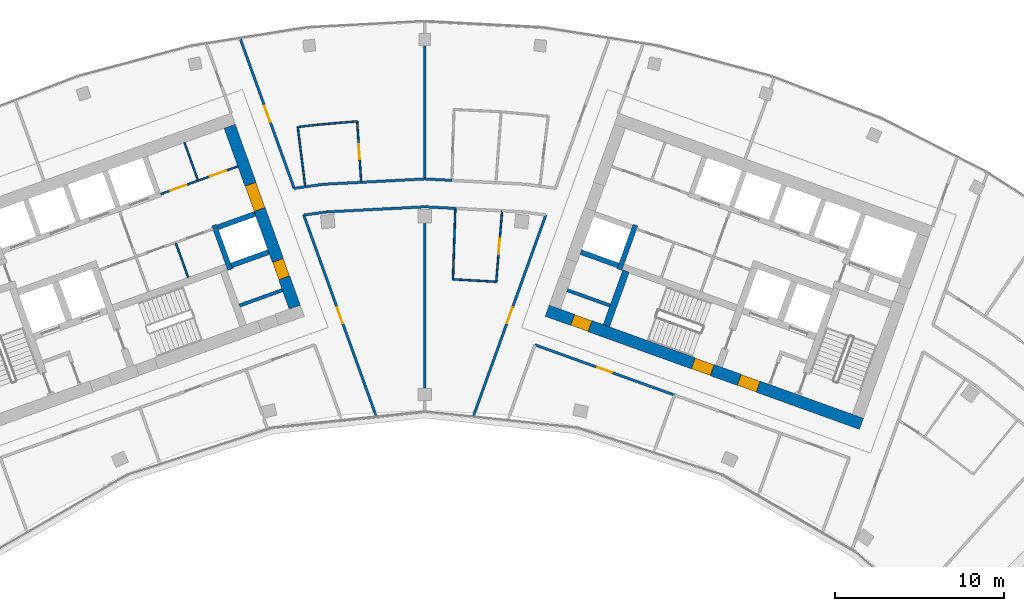
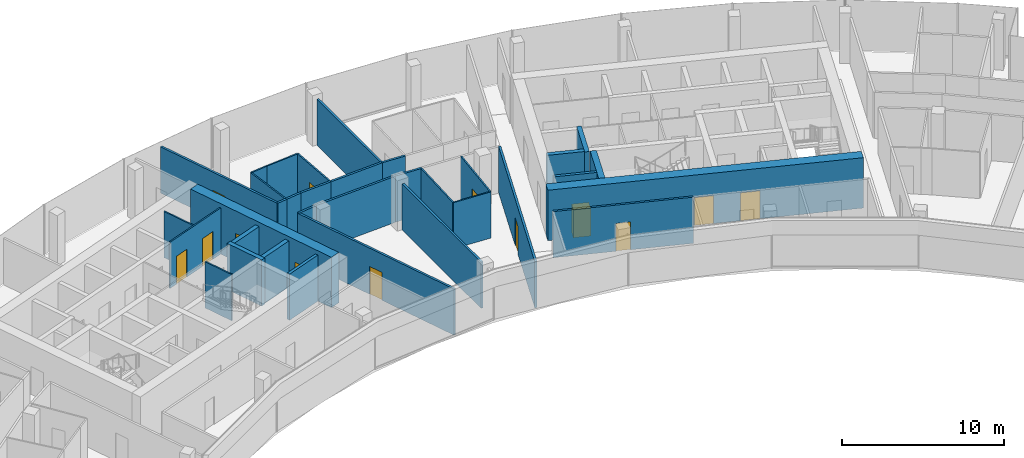
# One storey, part 14 of 18: 34 walls, 13 doors, 13 openings.
"""IFC4 building model written with IfcOpenShell, lengths in metres."""

from ifc_helpers import new_model, si_unit, direction, frame, frame_2d, origin, place, context, subcontext, project, spatial, rectangle, extrude, material, layer, layer_set, type_object, element, fill, save


model = new_model("IFC4")

# Units and contexts
model_context = context("Model", 3, precision=1e-05, world=origin(), true_north=direction((0.0, 1.0)))
body_context = subcontext(model_context, "Body", "Model", "MODEL_VIEW")
ifc_project = project(units=[si_unit("LENGTHUNIT", "METRE"), si_unit("AREAUNIT", "SQUARE_METRE"), si_unit("VOLUMEUNIT", "CUBIC_METRE"), si_unit("PLANEANGLEUNIT", "RADIAN"), si_unit("MASSUNIT", "GRAM", prefix="KILO")], contexts=[model_context])

# Site, building, storey
site_placement = place(None, origin())
site = spatial("IfcSite", under=ifc_project, at=site_placement, CompositionType="ELEMENT")
building_placement = place(site_placement, origin())
building = spatial("IfcBuilding", under=site, at=building_placement, Name="Stone Belt Terrace Tower", CompositionType="ELEMENT")
storey_placement = place(building_placement, frame((0.0, 0.0, 277.0)))
storey = spatial("IfcBuildingStorey", under=building, at=storey_placement, Name="L67", CompositionType="ELEMENT", Elevation=277.0)

# Wall
ifc_material_1 = material(Name="Plasterboard partition")
ifc_layer_1 = layer(ifc_material_1, 0.10009765625)
ifc_layer_set_1 = layer_set([ifc_layer_1], Name="Core partition 100")
wall_type_1 = type_object("IfcWallType", Name="Core partition 100", PredefinedType="PARTITIONING", material=ifc_layer_set_1)
wall_1_placement = place(storey_placement, frame((-14.029052734375, 51.38525390625, 0.0), z_axis=(0.0, 0.0, 1.0), x_axis=(-0.338622960269, 0.940922149159, 0.0)))
element("IfcWall", 1, at=wall_1_placement, inside=storey, type_object=wall_type_1, Name="Core A wall", PredefinedType="PARTITIONING", context=body_context, shape_type="SweptSolid", body=[
    extrude(rectangle(XDim=2.14990234375, YDim=0.10009765625, at=frame_2d((1.074951171875, 0.0))), origin(), (0.0, 0.0, 1.0), 3.47998046875),
])

# Wall, openings, doors
wall_2_placement = place(storey_placement, frame((-15.648681640625, 56.32861328125, 0.0), z_axis=(0.0, 0.0, 1.0), x_axis=(0.940905377977, 0.338669558262, 0.0)))
wall_2 = element("IfcWall", 2, at=wall_2_placement, inside=storey, type_object=wall_type_1, Name="Core A wall", PredefinedType="PARTITIONING", context=body_context, shape_type="SweptSolid", body=[
    extrude(rectangle(XDim=4.85009765625, YDim=0.10009765625, at=frame_2d((2.425048828125, 0.0))), origin(), (0.0, 0.0, 1.0), 3.47998046875),
])
opening_1_placement = place(wall_2_placement, frame((0.60009765625, 0.0, 0.0)))
opening_1 = element("IfcOpeningElement", 3, at=opening_1_placement, cuts=wall_2, Name="Opening L67-C01", PredefinedType="OPENING", context=body_context, shape_type="SweptSolid", body=[
    extrude(rectangle(XDim=1.0, YDim=2.10009765625, at=frame_2d((0.5, 1.050048828125))), frame((0.0, 0.06005859375, 0.0), z_axis=(0.0, -1.0, 0.0), x_axis=(1.0, 0.0, 0.0)), (0.0, 0.0, 1.0), 0.1201171875),
])
opening_2_placement = place(wall_2_placement, frame((3.10009765625, 0.0, 0.0)))
opening_2 = element("IfcOpeningElement", 4, at=opening_2_placement, cuts=wall_2, Name="Opening L67-C02", PredefinedType="OPENING", context=body_context, shape_type="SweptSolid", body=[
    extrude(rectangle(XDim=1.0, YDim=2.10009765625, at=frame_2d((0.5, 1.050048828125))), frame((0.0, 0.06005859375, 0.0), z_axis=(0.0, -1.0, 0.0), x_axis=(1.0, 0.0, 0.0)), (0.0, 0.0, 1.0), 0.1201171875),
])
ifc_material_2 = material(Name="Timber door leaf", Category="wood")
door_type_1 = type_object("IfcDoorType", Name="Core room door 1000", OperationType="SINGLE_SWING_LEFT", PredefinedType="DOOR", material=ifc_material_2)
door_1_placement = place(opening_1_placement, origin())
door_1 = element("IfcDoor", 5, at=door_1_placement, inside=storey, type_object=door_type_1, Name="Door to Server room core A", OperationType="SINGLE_SWING_RIGHT", OverallHeight=2.10009765625, OverallWidth=1.0, PredefinedType="DOOR", context=body_context, shape_type="SweptSolid", body=[
    extrude(rectangle(XDim=1.0, YDim=2.10009765625, at=frame_2d((0.5, 1.050048828125))), frame((0.0, 0.02490234375, 0.0), z_axis=(0.0, -1.0, 0.0), x_axis=(1.0, 0.0, 0.0)), (0.0, 0.0, 1.0), 0.050048828125),
])
fill(opening_1, door_1)
door_2_placement = place(opening_2_placement, origin())
door_2 = element("IfcDoor", 6, at=door_2_placement, inside=storey, type_object=door_type_1, Name="Door to Plant room core A", OperationType="SINGLE_SWING_LEFT", OverallHeight=2.10009765625, OverallWidth=1.0, PredefinedType="DOOR", context=body_context, shape_type="SweptSolid", body=[
    extrude(rectangle(XDim=1.0, YDim=2.10009765625, at=frame_2d((0.5, 1.050048828125))), frame((0.0, 0.02490234375, 0.0), z_axis=(0.0, -1.0, 0.0), x_axis=(1.0, 0.0, 0.0)), (0.0, 0.0, 1.0), 0.050048828125),
])
fill(opening_2, door_2)

# Wall
wall_3_placement = place(storey_placement, frame((-13.45458984375, 57.171630859375, 0.0), z_axis=(0.0, 0.0, 1.0), x_axis=(-0.338579668317, 0.940937728121, 0.0)))
element("IfcWall", 7, at=wall_3_placement, inside=storey, type_object=wall_type_1, Name="Core A wall", PredefinedType="PARTITIONING", context=body_context, shape_type="SweptSolid", body=[
    extrude(rectangle(XDim=2.35009765625, YDim=0.10009765625, at=frame_2d((1.175048828125, 0.0))), origin(), (0.0, 0.0, 1.0), 3.47998046875),
])

# Wall, openings, doors
ifc_material_3 = material(Name="Concrete B60", Category="concrete")
ifc_layer_2 = layer(ifc_material_3, 0.699951171875)
ifc_layer_set_2 = layer_set([ifc_layer_2], Name="Core wall 700 B60")
wall_type_2 = type_object("IfcWallType", Name="Core wall 700 B60", PredefinedType="SHEAR", material=ifc_layer_set_2)
wall_4_placement = place(storey_placement, frame((-7.70849609375, 49.621337890625, 0.0), z_axis=(0.0, 0.0, 1.0), x_axis=(-0.338606471282, 0.940928083121, 0.0)))
wall_4 = element("IfcWall", 8, at=wall_4_placement, inside=storey, type_object=wall_type_2, Name="Core A wall end_b L67", PredefinedType="SHEAR", context=body_context, shape_type="SweptSolid", body=[
    extrude(rectangle(XDim=11.39990234375, YDim=0.699951171875, at=frame_2d((5.699951171875, 0.0))), origin(), (0.0, 0.0, 1.0), 3.800048828125),
])
opening_3_placement = place(wall_4_placement, frame((6.14990234375, 0.0, 0.0)))
opening_3 = element("IfcOpeningElement", 9, at=opening_3_placement, cuts=wall_4, Name="Opening L67-C09", PredefinedType="OPENING", context=body_context, shape_type="SweptSolid", body=[
    extrude(rectangle(XDim=1.60009765625, YDim=2.10009765625, at=frame_2d((0.800048828125, 1.050048828125))), frame((0.0, 0.35986328125, 0.0), z_axis=(0.0, -1.0, 0.0), x_axis=(1.0, 0.0, 0.0)), (0.0, 0.0, 1.0), 0.719970703125),
])
opening_4_placement = place(wall_4_placement, frame((1.85009765625, 0.0, 0.0)))
opening_4 = element("IfcOpeningElement", 10, at=opening_4_placement, cuts=wall_4, Name="Opening L67-C15", PredefinedType="OPENING", context=body_context, shape_type="SweptSolid", body=[
    extrude(rectangle(XDim=1.10009765625, YDim=2.10009765625, at=frame_2d((0.550048828125, 1.050048828125))), frame((0.0, 0.35986328125, 0.0), z_axis=(0.0, -1.0, 0.0), x_axis=(1.0, 0.0, 0.0)), (0.0, 0.0, 1.0), 0.719970703125),
])
door_type_2 = type_object("IfcDoorType", Name="Core room door 1100", OperationType="SINGLE_SWING_LEFT", PredefinedType="DOOR", material=ifc_material_2)
door_3_placement = place(opening_4_placement, origin())
door_3 = element("IfcDoor", 11, at=door_3_placement, inside=storey, type_object=door_type_2, Name="Door to Accessible WC core A", OperationType="SINGLE_SWING_LEFT", OverallHeight=2.10009765625, OverallWidth=1.10009765625, PredefinedType="DOOR", context=body_context, shape_type="SweptSolid", body=[
    extrude(rectangle(XDim=1.10009765625, YDim=2.10009765625, at=frame_2d((0.550048828125, 1.050048828125))), frame((0.0, 0.330078125, 0.0), z_axis=(0.0, -1.0, 0.0), x_axis=(1.0, 0.0, 0.0)), (0.0, 0.0, 1.0), 0.659912109375),
])
fill(opening_4, door_3)
ifc_material_4 = material(Name="Glazed aluminium door leaf", Category="aluminium")
door_type_3 = type_object("IfcDoorType", Name="Lift lobby entrance door 1600", OperationType="DOUBLE_DOOR_SINGLE_SWING", PredefinedType="DOOR", material=ifc_material_4)
door_4_placement = place(opening_3_placement, origin())
door_4 = element("IfcDoor", 12, at=door_4_placement, inside=storey, type_object=door_type_3, Name="Lift lobby entrance door core A", OperationType="DOUBLE_DOOR_SINGLE_SWING", OverallHeight=2.10009765625, OverallWidth=1.60009765625, PredefinedType="DOOR", context=body_context, shape_type="SweptSolid", body=[
    extrude(rectangle(XDim=1.60009765625, YDim=2.10009765625, at=frame_2d((0.800048828125, 1.050048828125))), frame((0.0, 0.330078125, 0.0), z_axis=(0.0, -1.0, 0.0), x_axis=(1.0, 0.0, 0.0)), (0.0, 0.0, 1.0), 0.659912109375),
])
fill(opening_3, door_4)

wall_5_placement = place(storey_placement, frame((7.260498046875, 49.410400390625, 0.0), z_axis=(0.0, 0.0, 1.0), x_axis=(0.940925130461, -0.338614676094, 0.0)))
wall_5 = element("IfcWall", 13, at=wall_5_placement, inside=storey, type_object=wall_type_2, Name="Core B wall concave L67", PredefinedType="SHEAR", context=body_context, shape_type="SweptSolid", body=[
    extrude(rectangle(XDim=19.800048828125, YDim=0.699951171875, at=frame_2d((9.89990234375, 0.0))), origin(), (0.0, 0.0, 1.0), 3.800048828125),
])
opening_5_placement = place(wall_5_placement, frame((12.10009765625, 0.0, 0.0)))
opening_5 = element("IfcOpeningElement", 14, at=opening_5_placement, cuts=wall_5, Name="Opening L67-C28", PredefinedType="OPENING", context=body_context, shape_type="SweptSolid", body=[
    extrude(rectangle(XDim=1.199951171875, YDim=2.10009765625, at=frame_2d((0.60009765625, 1.050048828125))), frame((0.0, 0.35986328125, 0.0), z_axis=(0.0, -1.0, 0.0), x_axis=(1.0, 0.0, 0.0)), (0.0, 0.0, 1.0), 0.719970703125),
])
opening_6_placement = place(wall_5_placement, frame((9.2001953125, 0.0, 0.0)))
opening_6 = element("IfcOpeningElement", 15, at=opening_6_placement, cuts=wall_5, Name="Opening L67-C30", PredefinedType="OPENING", context=body_context, shape_type="SweptSolid", body=[
    extrude(rectangle(XDim=1.199951171875, YDim=2.10009765625, at=frame_2d((0.60009765625, 1.050048828125))), frame((0.0, 0.35986328125, 0.0), z_axis=(0.0, -1.0, 0.0), x_axis=(1.0, 0.0, 0.0)), (0.0, 0.0, 1.0), 0.719970703125),
])
opening_7_placement = place(wall_5_placement, frame((1.60009765625, 0.0, 0.0)))
opening_7 = element("IfcOpeningElement", 16, at=opening_7_placement, cuts=wall_5, Name="Opening L67-C32", PredefinedType="OPENING", context=body_context, shape_type="SweptSolid", body=[
    extrude(rectangle(XDim=1.10009765625, YDim=2.10009765625, at=frame_2d((0.550048828125, 1.050048828125))), frame((0.0, 0.35986328125, 0.0), z_axis=(0.0, -1.0, 0.0), x_axis=(1.0, 0.0, 0.0)), (0.0, 0.0, 1.0), 0.719970703125),
])
door_5_placement = place(opening_7_placement, origin())
door_5 = element("IfcDoor", 17, at=door_5_placement, inside=storey, type_object=door_type_2, Name="Door to Pipe riser core B", OperationType="SINGLE_SWING_LEFT", OverallHeight=2.10009765625, OverallWidth=1.10009765625, PredefinedType="DOOR", context=body_context, shape_type="SweptSolid", body=[
    extrude(rectangle(XDim=1.10009765625, YDim=2.10009765625, at=frame_2d((0.550048828125, 1.050048828125))), frame((0.0, 0.330078125, 0.0), z_axis=(0.0, -1.0, 0.0), x_axis=(1.0, 0.0, 0.0)), (0.0, 0.0, 1.0), 0.659912109375),
])
fill(opening_7, door_5)
ifc_material_5 = material(Name="Steel door leaf", Category="steel")
door_type_4 = type_object("IfcDoorType", Name="Fire-fighting lobby door 1200", OperationType="SINGLE_SWING_LEFT", PredefinedType="DOOR", material=ifc_material_5)
door_6_placement = place(opening_5_placement, origin())
door_6 = element("IfcDoor", 18, at=door_6_placement, inside=storey, type_object=door_type_4, Name="Fire-fighting lobby door core B", OperationType="SINGLE_SWING_LEFT", OverallHeight=2.10009765625, OverallWidth=1.199951171875, PredefinedType="DOOR", context=body_context, shape_type="SweptSolid", body=[
    extrude(rectangle(XDim=1.199951171875, YDim=2.10009765625, at=frame_2d((0.60009765625, 1.050048828125))), frame((0.0, 0.330078125, 0.0), z_axis=(0.0, -1.0, 0.0), x_axis=(1.0, 0.0, 0.0)), (0.0, 0.0, 1.0), 0.659912109375),
])
fill(opening_5, door_6)
door_type_5 = type_object("IfcDoorType", Name="Stair door 1200", OperationType="SINGLE_SWING_LEFT", PredefinedType="DOOR", material=ifc_material_5)
door_7_placement = place(opening_6_placement, origin())
door_7 = element("IfcDoor", 19, at=door_7_placement, inside=storey, type_object=door_type_5, Name="Stair 2 exit door core B", OperationType="SINGLE_SWING_RIGHT", OverallHeight=2.10009765625, OverallWidth=1.199951171875, PredefinedType="DOOR", context=body_context, shape_type="SweptSolid", body=[
    extrude(rectangle(XDim=1.199951171875, YDim=2.10009765625, at=frame_2d((0.60009765625, 1.050048828125))), frame((0.0, 0.330078125, 0.0), z_axis=(0.0, -1.0, 0.0), x_axis=(1.0, 0.0, 0.0)), (0.0, 0.0, 1.0), 0.659912109375),
])
fill(opening_6, door_7)

# Walls
ifc_material_6 = material(Name="Concrete B80", Category="concrete")
ifc_layer_3 = layer(ifc_material_6, 0.300048828125)
ifc_layer_set_3 = layer_set([ifc_layer_3], Name="Lift shaft wall 300")
wall_type_3 = type_object("IfcWallType", Name="Lift shaft wall 300", PredefinedType="SHEAR", material=ifc_layer_set_3)
wall_6_placement = place(storey_placement, frame((-11.541259765625, 51.85546875, 0.0), z_axis=(0.0, 0.0, 1.0), x_axis=(-0.338660803216, 0.940908529223, 0.0)))
element("IfcWall", 20, at=wall_6_placement, inside=storey, type_object=wall_type_3, Name="Core A wall", PredefinedType="SHEAR", context=body_context, shape_type="SweptSolid", body=[
    extrude(rectangle(XDim=2.800048828125, YDim=0.300048828125, at=frame_2d((1.39990234375, 0.0))), origin(), (0.0, 0.0, 1.0), 3.47998046875),
])
wall_7_placement = place(storey_placement, frame((-11.468017578125, 52.09423828125, 0.0), z_axis=(0.0, 0.0, 1.0), x_axis=(0.940904627055, 0.338671644496, 0.0)))
element("IfcWall", 21, at=wall_7_placement, inside=storey, type_object=wall_type_3, Name="Core A wall", PredefinedType="SHEAR", context=body_context, shape_type="SweptSolid", body=[
    extrude(rectangle(XDim=2.35009765625, YDim=0.300048828125, at=frame_2d((1.175048828125, 0.0))), origin(), (0.0, 0.0, 1.0), 3.47998046875),
])
wall_8_placement = place(storey_placement, frame((-12.280517578125, 54.3525390625, 0.0), z_axis=(0.0, 0.0, 1.0), x_axis=(0.940925816745, 0.338612769078, 0.0)))
element("IfcWall", 22, at=wall_8_placement, inside=storey, type_object=wall_type_3, Name="Core A wall", PredefinedType="SHEAR", context=body_context, shape_type="SweptSolid", body=[
    extrude(rectangle(XDim=2.349853515625, YDim=0.300048828125, at=frame_2d((1.1748046875, 0.0))), origin(), (0.0, 0.0, 1.0), 3.47998046875),
])
wall_9_placement = place(storey_placement, frame((11.541259765625, 51.85546875, 0.0), z_axis=(0.0, 0.0, 1.0), x_axis=(0.338660803216, 0.940908529223, 0.0)))
element("IfcWall", 23, at=wall_9_placement, inside=storey, type_object=wall_type_3, Name="Core B wall", PredefinedType="SHEAR", context=body_context, shape_type="SweptSolid", body=[
    extrude(rectangle(XDim=2.800048828125, YDim=0.300048828125, at=frame_2d((1.39990234375, 0.0))), origin(), (0.0, 0.0, 1.0), 3.47998046875),
])
wall_10_placement = place(storey_placement, frame((11.468017578125, 52.09423828125, 0.0), z_axis=(0.0, 0.0, 1.0), x_axis=(-0.940904627055, 0.338671644496, 0.0)))
element("IfcWall", 24, at=wall_10_placement, inside=storey, type_object=wall_type_3, Name="Core B wall", PredefinedType="SHEAR", context=body_context, shape_type="SweptSolid", body=[
    extrude(rectangle(XDim=2.35009765625, YDim=0.300048828125, at=frame_2d((1.175048828125, 0.0))), origin(), (0.0, 0.0, 1.0), 3.47998046875),
])
ifc_material_7 = material(Name="Gypsum board partition")
ifc_layer_4 = layer(ifc_material_7, 0.10009765625)
ifc_layer_set_4 = layer_set([ifc_layer_4], Name="PARTITION 100")
wall_type_4 = type_object("IfcWallType", Name="PARTITION 100", PredefinedType="PARTITIONING", material=ifc_layer_set_4)
wall_11_placement = place(storey_placement, frame((1.81103515625, 55.47998046875, 0.0), z_axis=(0.0, 0.0, 1.0), x_axis=(-0.032793038471, -0.99946216368, 0.0)))
element("IfcWall", 25, at=wall_11_placement, inside=storey, type_object=wall_type_4, Name="L67/wall/i103", PredefinedType="PARTITIONING", context=body_context, shape_type="SweptSolid", body=[
    extrude(rectangle(XDim=4.206298828125, YDim=0.10009765625, at=frame_2d((2.10302734375, 0.0))), origin(), (0.0, 0.0, 1.0), 3.47998046875),
])
wall_12_placement = place(storey_placement, frame((1.673095703125, 51.27587890625, 0.0), z_axis=(0.0, 0.0, 1.0), x_axis=(0.998340572085, -0.057585606956, 0.0)))
element("IfcWall", 26, at=wall_12_placement, inside=storey, type_object=wall_type_4, Name="L67/wall/i104", PredefinedType="PARTITIONING", context=body_context, shape_type="SweptSolid", body=[
    extrude(rectangle(XDim=2.569091796875, YDim=0.10009765625, at=frame_2d((1.28466796875, 0.0))), origin(), (0.0, 0.0, 1.0), 3.47998046875),
])

# Wall, opening, door
wall_13_placement = place(storey_placement, frame((4.238037109375, 51.1279296875, 0.0), z_axis=(0.0, 0.0, 1.0), x_axis=(0.082413674848, 0.996598207001, 0.0)))
wall_13 = element("IfcWall", 27, at=wall_13_placement, inside=storey, type_object=wall_type_4, Name="L67/wall/i105", PredefinedType="PARTITIONING", context=body_context, shape_type="SweptSolid", body=[
    extrude(rectangle(XDim=4.221435546875, YDim=0.10009765625, at=frame_2d((2.11083984375, 0.0))), origin(), (0.0, 0.0, 1.0), 3.47998046875),
])
opening_8_placement = place(wall_13_placement, frame((1.66064453125, 0.0, 0.0)))
opening_8 = element("IfcOpeningElement", 28, at=opening_8_placement, cuts=wall_13, Name="Opening D-E2-28", PredefinedType="OPENING", context=body_context, shape_type="SweptSolid", body=[
    extrude(rectangle(XDim=0.89990234375, YDim=2.10009765625, at=frame_2d((0.449951171875, 1.050048828125))), frame((0.0, 0.06005859375, 0.0), z_axis=(0.0, -1.0, 0.0), x_axis=(1.0, 0.0, 0.0)), (0.0, 0.0, 1.0), 0.1201171875),
])
door_type_6 = type_object("IfcDoorType", Name="OFFICE DOOR 900 X 2100", OperationType="NOTDEFINED", PredefinedType="DOOR", material=ifc_material_2)
door_8_placement = place(opening_8_placement, origin())
door_8 = element("IfcDoor", 29, at=door_8_placement, inside=storey, type_object=door_type_6, Name="L67/door/i28", OperationType="SINGLE_SWING_RIGHT", OverallHeight=2.10009765625, OverallWidth=0.89990234375, PredefinedType="DOOR", context=body_context, shape_type="SweptSolid", body=[
    extrude(rectangle(XDim=0.89990234375, YDim=2.10009765625, at=frame_2d((0.449951171875, 1.050048828125))), frame((0.0, 0.02490234375, 0.0), z_axis=(0.0, -1.0, 0.0), x_axis=(1.0, 0.0, 0.0)), (0.0, 0.0, 1.0), 0.050048828125),
])
fill(opening_8, door_8)

wall_14_placement = place(storey_placement, frame((-3.77001953125, 57.028076171875, 0.0), z_axis=(0.0, 0.0, 1.0), x_axis=(-0.066008841027, 0.997819038156, 0.0)))
wall_14 = element("IfcWall", 30, at=wall_14_placement, inside=storey, type_object=wall_type_4, Name="L67/wall/i106", PredefinedType="PARTITIONING", context=body_context, shape_type="SweptSolid", body=[
    extrude(rectangle(XDim=3.620849609375, YDim=0.10009765625, at=frame_2d((1.810546875, 0.0))), origin(), (0.0, 0.0, 1.0), 3.47998046875),
])
opening_9_placement = place(wall_14_placement, frame((1.3603515625, 0.0, 0.0)))
opening_9 = element("IfcOpeningElement", 31, at=opening_9_placement, cuts=wall_14, Name="Opening D-E2-30", PredefinedType="OPENING", context=body_context, shape_type="SweptSolid", body=[
    extrude(rectangle(XDim=0.89990234375, YDim=2.10009765625, at=frame_2d((0.449951171875, 1.050048828125))), frame((0.0, 0.06005859375, 0.0), z_axis=(0.0, -1.0, 0.0), x_axis=(1.0, 0.0, 0.0)), (0.0, 0.0, 1.0), 0.1201171875),
])
door_9_placement = place(opening_9_placement, origin())
door_9 = element("IfcDoor", 32, at=door_9_placement, inside=storey, type_object=door_type_6, Name="L67/door/i30", OperationType="SINGLE_SWING_RIGHT", OverallHeight=2.10009765625, OverallWidth=0.89990234375, PredefinedType="DOOR", context=body_context, shape_type="SweptSolid", body=[
    extrude(rectangle(XDim=0.89990234375, YDim=2.10009765625, at=frame_2d((0.449951171875, 1.050048828125))), frame((0.0, 0.02490234375, 0.0), z_axis=(0.0, -1.0, 0.0), x_axis=(1.0, 0.0, 0.0)), (0.0, 0.0, 1.0), 0.050048828125),
])
fill(opening_9, door_9)

# Walls
wall_15_placement = place(storey_placement, frame((-4.009033203125, 60.64111328125, 0.0), z_axis=(0.0, 0.0, 1.0), x_axis=(-0.996337308446, -0.085510045012, 0.0)))
element("IfcWall", 33, at=wall_15_placement, inside=storey, type_object=wall_type_4, Name="L67/wall/i107", PredefinedType="PARTITIONING", context=body_context, shape_type="SweptSolid", body=[
    extrude(rectangle(XDim=2.3525390625, YDim=0.10009765625, at=frame_2d((1.17626953125, 0.0))), origin(), (0.0, 0.0, 1.0), 3.47998046875),
])
wall_16_placement = place(storey_placement, frame((-6.35302734375, 60.43994140625, 0.0), z_axis=(0.0, 0.0, 1.0), x_axis=(-0.993496119058, -0.11386598007, 0.0)))
element("IfcWall", 34, at=wall_16_placement, inside=storey, type_object=wall_type_4, Name="L67/wall/i108", PredefinedType="PARTITIONING", context=body_context, shape_type="SweptSolid", body=[
    extrude(rectangle(XDim=1.185791015625, YDim=0.10009765625, at=frame_2d((0.5927734375, 0.0))), origin(), (0.0, 0.0, 1.0), 3.47998046875),
])
wall_17_placement = place(storey_placement, frame((-7.531005859375, 60.304931640625, 0.0), z_axis=(0.0, 0.0, 1.0), x_axis=(0.124034734589, -0.992277876714, 0.0)))
element("IfcWall", 35, at=wall_17_placement, inside=storey, type_object=wall_type_4, Name="L67/wall/i109", PredefinedType="PARTITIONING", context=body_context, shape_type="SweptSolid", body=[
    extrude(rectangle(XDim=3.572509765625, YDim=0.10009765625, at=frame_2d((1.7861328125, 0.0))), origin(), (0.0, 0.0, 1.0), 3.47998046875),
])

# Wall, opening, door
ifc_layer_5 = layer(ifc_material_7, 0.14990234375)
ifc_layer_set_5 = layer_set([ifc_layer_5], Name="PARTITION 150 EI 60")
wall_type_5 = type_object("IfcWallType", Name="PARTITION 150 EI 60", PredefinedType="PARTITIONING", material=ifc_layer_set_5)
wall_18_placement = place(storey_placement, frame((-7.177978515625, 55.089111328125, 0.0), z_axis=(0.0, 0.0, 1.0), x_axis=(0.338597725617, -0.940931230328, 0.0)))
wall_18 = element("IfcWall", 36, at=wall_18_placement, inside=storey, type_object=wall_type_5, Name="L67/wall/i009", PredefinedType="PARTITIONING", context=body_context, shape_type="SweptSolid", body=[
    extrude(rectangle(XDim=12.640380859375, YDim=0.14990234375, at=frame_2d((6.3203125, 0.0))), origin(), (0.0, 0.0, 1.0), 3.47998046875),
])
opening_10_placement = place(wall_18_placement, frame((5.820068359375, 0.0, 0.0)))
opening_10 = element("IfcOpeningElement", 37, at=opening_10_placement, cuts=wall_18, Name="Opening D-E2-26", PredefinedType="OPENING", context=body_context, shape_type="SweptSolid", body=[
    extrude(rectangle(XDim=1.0, YDim=2.10009765625, at=frame_2d((0.5, 1.050048828125))), frame((0.0, 0.0849609375, 0.0), z_axis=(0.0, -1.0, 0.0), x_axis=(1.0, 0.0, 0.0)), (0.0, 0.0, 1.0), 0.169921875),
])
ifc_material_8 = material(Name="Timber fire door leaf", Category="wood")
door_type_7 = type_object("IfcDoorType", Name="TENANCY ENTRANCE DOOR 1000 X 2100", OperationType="NOTDEFINED", PredefinedType="DOOR", material=ifc_material_8)
door_10_placement = place(opening_10_placement, origin())
door_10 = element("IfcDoor", 38, at=door_10_placement, inside=storey, type_object=door_type_7, Name="L67/door/i26", OperationType="SINGLE_SWING_LEFT", OverallHeight=2.10009765625, OverallWidth=1.0, PredefinedType="DOOR", context=body_context, shape_type="SweptSolid", body=[
    extrude(rectangle(XDim=1.0, YDim=2.10009765625, at=frame_2d((0.5, 1.050048828125))), frame((0.0, 0.02490234375, 0.0), z_axis=(0.0, -1.0, 0.0), x_axis=(1.0, 0.0, 0.0)), (0.0, 0.0, 1.0), 0.050048828125),
])
fill(opening_10, door_10)

wall_19_placement = place(storey_placement, frame((-10.9267578125, 65.504150390625, 0.0), z_axis=(0.0, 0.0, 1.0), x_axis=(0.338644933311, -0.94091424112, 0.0)))
wall_19 = element("IfcWall", 39, at=wall_19_placement, inside=storey, type_object=wall_type_5, Name="L67/wall/i010", PredefinedType="PARTITIONING", context=body_context, shape_type="SweptSolid", body=[
    extrude(rectangle(XDim=9.395263671875, YDim=0.14990234375, at=frame_2d((4.69775390625, 0.0))), origin(), (0.0, 0.0, 1.0), 3.47998046875),
])
opening_11_placement = place(wall_19_placement, frame((4.19775390625, 0.0, 0.0)))
opening_11 = element("IfcOpeningElement", 40, at=opening_11_placement, cuts=wall_19, Name="Opening D-E2-29", PredefinedType="OPENING", context=body_context, shape_type="SweptSolid", body=[
    extrude(rectangle(XDim=1.0, YDim=2.10009765625, at=frame_2d((0.5, 1.050048828125))), frame((0.0, 0.0849609375, 0.0), z_axis=(0.0, -1.0, 0.0), x_axis=(1.0, 0.0, 0.0)), (0.0, 0.0, 1.0), 0.169921875),
])
door_11_placement = place(opening_11_placement, origin())
door_11 = element("IfcDoor", 41, at=door_11_placement, inside=storey, type_object=door_type_7, Name="L67/door/i29", OperationType="SINGLE_SWING_RIGHT", OverallHeight=2.10009765625, OverallWidth=1.0, PredefinedType="DOOR", context=body_context, shape_type="SweptSolid", body=[
    extrude(rectangle(XDim=1.0, YDim=2.10009765625, at=frame_2d((0.5, 1.050048828125))), frame((0.0, 0.02490234375, 0.0), z_axis=(0.0, -1.0, 0.0), x_axis=(1.0, 0.0, 0.0)), (0.0, 0.0, 1.0), 0.050048828125),
])
fill(opening_11, door_11)

wall_20_placement = place(storey_placement, frame((2.89794921875, 43.1953125, 0.0), z_axis=(0.0, 0.0, 1.0), x_axis=(0.338597725617, 0.940931230328, 0.0)))
wall_20 = element("IfcWall", 42, at=wall_20_placement, inside=storey, type_object=wall_type_5, Name="L67/wall/i020", PredefinedType="PARTITIONING", context=body_context, shape_type="SweptSolid", body=[
    extrude(rectangle(XDim=12.640380859375, YDim=0.14990234375, at=frame_2d((6.3203125, 0.0))), origin(), (0.0, 0.0, 1.0), 3.47998046875),
])
opening_12_placement = place(wall_20_placement, frame((5.820068359375, 0.0, 0.0)))
opening_12 = element("IfcOpeningElement", 43, at=opening_12_placement, cuts=wall_20, Name="Opening D-E2-27", PredefinedType="OPENING", context=body_context, shape_type="SweptSolid", body=[
    extrude(rectangle(XDim=1.0, YDim=2.10009765625, at=frame_2d((0.5, 1.050048828125))), frame((0.0, 0.0849609375, 0.0), z_axis=(0.0, -1.0, 0.0), x_axis=(1.0, 0.0, 0.0)), (0.0, 0.0, 1.0), 0.169921875),
])
door_12_placement = place(opening_12_placement, origin())
door_12 = element("IfcDoor", 44, at=door_12_placement, inside=storey, type_object=door_type_7, Name="L67/door/i27", OperationType="SINGLE_SWING_LEFT", OverallHeight=2.10009765625, OverallWidth=1.0, PredefinedType="DOOR", context=body_context, shape_type="SweptSolid", body=[
    extrude(rectangle(XDim=1.0, YDim=2.10009765625, at=frame_2d((0.5, 1.050048828125))), frame((0.0, 0.02490234375, 0.0), z_axis=(0.0, -1.0, 0.0), x_axis=(1.0, 0.0, 0.0)), (0.0, 0.0, 1.0), 0.050048828125),
])
fill(opening_12, door_12)

wall_21_placement = place(storey_placement, frame((14.80908203125, 44.409912109375, 0.0), z_axis=(0.0, 0.0, 1.0), x_axis=(-0.940937293639, 0.338580875772, 0.0)))
wall_21 = element("IfcWall", 45, at=wall_21_placement, inside=storey, type_object=wall_type_5, Name="L67/wall/i030", PredefinedType="PARTITIONING", context=body_context, shape_type="SweptSolid", body=[
    extrude(rectangle(XDim=8.795654296875, YDim=0.14990234375, at=frame_2d((4.39794921875, 0.0))), origin(), (0.0, 0.0, 1.0), 3.47998046875),
])
opening_13_placement = place(wall_21_placement, frame((3.94775390625, 0.0, 0.0)))
opening_13 = element("IfcOpeningElement", 46, at=opening_13_placement, cuts=wall_21, Name="Opening D-E2-06", PredefinedType="OPENING", context=body_context, shape_type="SweptSolid", body=[
    extrude(rectangle(XDim=0.89990234375, YDim=2.10009765625, at=frame_2d((0.449951171875, 1.050048828125))), frame((0.0, 0.0849609375, 0.0), z_axis=(0.0, -1.0, 0.0), x_axis=(1.0, 0.0, 0.0)), (0.0, 0.0, 1.0), 0.169921875),
])
door_13_placement = place(opening_13_placement, origin())
door_13 = element("IfcDoor", 47, at=door_13_placement, inside=storey, type_object=door_type_6, Name="L67/door/i06", OperationType="SINGLE_SWING_RIGHT", OverallHeight=2.10009765625, OverallWidth=0.89990234375, PredefinedType="DOOR", context=body_context, shape_type="SweptSolid", body=[
    extrude(rectangle(XDim=0.89990234375, YDim=2.10009765625, at=frame_2d((0.449951171875, 1.050048828125))), frame((0.0, 0.02490234375, 0.0), z_axis=(0.0, -1.0, 0.0), x_axis=(1.0, 0.0, 0.0)), (0.0, 0.0, 1.0), 0.050048828125),
])
fill(opening_13, door_13)

# Walls
wall_22_placement = place(storey_placement, frame((0.0, 55.574951171875, 0.0), z_axis=(0.0, 0.0, 1.0), x_axis=(-0.998633897938, -0.052252635241, 0.0)))
element("IfcWall", 48, at=wall_22_placement, inside=storey, type_object=wall_type_5, Name="L67/wall/i086", PredefinedType="PARTITIONING", context=body_context, shape_type="SweptSolid", body=[
    extrude(rectangle(XDim=5.817138671875, YDim=0.14990234375, at=frame_2d((2.90869140625, 0.0))), origin(), (0.0, 0.0, 1.0), 3.47998046875),
])
wall_23_placement = place(storey_placement, frame((-5.80908203125, 55.27099609375, 0.0), z_axis=(0.0, 0.0, 1.0), x_axis=(-0.990675556397, -0.136242217972, 0.0)))
element("IfcWall", 49, at=wall_23_placement, inside=storey, type_object=wall_type_5, Name="L67/wall/i087", PredefinedType="PARTITIONING", context=body_context, shape_type="SweptSolid", body=[
    extrude(rectangle(XDim=1.3798828125, YDim=0.14990234375, at=frame_2d((0.68994140625, 0.0))), origin(), (0.0, 0.0, 1.0), 3.47998046875),
])
wall_24_placement = place(storey_placement, frame((1.81689453125, 55.47998046875, 0.0), z_axis=(0.0, 0.0, 1.0), x_axis=(-0.998636669852, 0.052199632434, 0.0)))
element("IfcWall", 50, at=wall_24_placement, inside=storey, type_object=wall_type_5, Name="L67/wall/i088", PredefinedType="PARTITIONING", context=body_context, shape_type="SweptSolid", body=[
    extrude(rectangle(XDim=1.8193359375, YDim=0.14990234375, at=frame_2d((0.90966796875, 0.0))), origin(), (0.0, 0.0, 1.0), 3.47998046875),
])
wall_25_placement = place(storey_placement, frame((-7.7470703125, 56.669921875, 0.0), z_axis=(0.0, 0.0, 1.0), x_axis=(0.990754763364, 0.135665024499, 0.0)))
element("IfcWall", 51, at=wall_25_placement, inside=storey, type_object=wall_type_5, Name="L67/wall/i092", PredefinedType="PARTITIONING", context=body_context, shape_type="SweptSolid", body=[
    extrude(rectangle(XDim=0.671142578125, YDim=0.14990234375, at=frame_2d((0.33544921875, 0.0))), origin(), (0.0, 0.0, 1.0), 3.47998046875),
])
wall_26_placement = place(storey_placement, frame((-3.77587890625, 57.027099609375, 0.0), z_axis=(0.0, 0.0, 1.0), x_axis=(0.99862797763, 0.052365659502, 0.0)))
element("IfcWall", 52, at=wall_26_placement, inside=storey, type_object=wall_type_5, Name="L67/wall/i093", PredefinedType="PARTITIONING", context=body_context, shape_type="SweptSolid", body=[
    extrude(rectangle(XDim=3.781005859375, YDim=0.14990234375, at=frame_2d((1.890625, 0.0))), origin(), (0.0, 0.0, 1.0), 3.47998046875),
])
wall_27_placement = place(storey_placement, frame((-7.093994140625, 56.760009765625, 0.0), z_axis=(0.0, 0.0, 1.0), x_axis=(0.990775819949, 0.135511160445, 0.0)))
element("IfcWall", 53, at=wall_27_placement, inside=storey, type_object=wall_type_5, Name="L67/wall/i094", PredefinedType="PARTITIONING", context=body_context, shape_type="SweptSolid", body=[
    extrude(rectangle(XDim=1.122314453125, YDim=0.14990234375, at=frame_2d((0.56103515625, 0.0))), origin(), (0.0, 0.0, 1.0), 3.47998046875),
])
wall_28_placement = place(storey_placement, frame((-5.98193359375, 56.912109375, 0.0), z_axis=(0.0, 0.0, 1.0), x_axis=(0.998635988354, 0.052212668626, 0.0)))
element("IfcWall", 54, at=wall_28_placement, inside=storey, type_object=wall_type_5, Name="L67/wall/i095", PredefinedType="PARTITIONING", context=body_context, shape_type="SweptSolid", body=[
    extrude(rectangle(XDim=2.220947265625, YDim=0.14990234375, at=frame_2d((1.1103515625, 0.0))), origin(), (0.0, 0.0, 1.0), 3.47998046875),
])
wall_29_placement = place(storey_placement, frame((0.0, 57.22509765625, 0.0), z_axis=(0.0, 0.0, 1.0), x_axis=(0.998617829333, -0.052558833123, 0.0)))
element("IfcWall", 55, at=wall_29_placement, inside=storey, type_object=wall_type_5, Name="L67/wall/i096", PredefinedType="PARTITIONING", context=body_context, shape_type="SweptSolid", body=[
    extrude(rectangle(XDim=1.62109375, YDim=0.14990234375, at=frame_2d((0.810546875, 0.0))), origin(), (0.0, 0.0, 1.0), 3.47998046875),
])
wall_30_placement = place(storey_placement, frame((0.0, 54.570068359375, 0.0), z_axis=(0.0, 0.0, 1.0), x_axis=(0.0, -1.0, 0.0)))
element("IfcWall", 56, at=wall_30_placement, inside=storey, type_object=wall_type_5, Name="L67/wall/i101", PredefinedType="PARTITIONING", context=body_context, shape_type="SweptSolid", body=[
    extrude(rectangle(XDim=9.7451171875, YDim=0.14990234375, at=frame_2d((4.87255859375, 0.0))), origin(), (0.0, 0.0, 1.0), 3.47998046875),
])
wall_31_placement = place(storey_placement, frame((0.0, 65.10888671875, 0.0), z_axis=(0.0, 0.0, 1.0), x_axis=(0.0, -1.0, 0.0)))
element("IfcWall", 57, at=wall_31_placement, inside=storey, type_object=wall_type_5, Name="L67/wall/i111", PredefinedType="PARTITIONING", context=body_context, shape_type="SweptSolid", body=[
    extrude(rectangle(XDim=7.8837890625, YDim=0.14990234375, at=frame_2d((3.94189453125, 0.0))), origin(), (0.0, 0.0, 1.0), 3.47998046875),
])
ifc_material_9 = material(Name="Concrete masonry block", Category="masonry")
ifc_layer_6 = layer(ifc_material_9, 0.199951171875)
ifc_layer_set_6 = layer_set([ifc_layer_6], Name="Rated lobby wall 200")
wall_type_6 = type_object("IfcWallType", Name="Rated lobby wall 200", PredefinedType="PARTITIONING", material=ifc_layer_set_6)
for number, where, z_axis, x_axis, name in (
    (58, (-10.984619140625, 49.717529296875, 0.0), (0.0, 0.0, 1.0), (0.940920834877, 0.338626612206, 0.0), "Core A wall"),
    (59, (10.984619140625, 49.717529296875, 0.0), (0.0, 0.0, 1.0), (-0.940920834877, 0.338626612206, 0.0), "Core B wall"),
):
    element("IfcWall", number, at=place(storey_placement, frame(where, z_axis=z_axis, x_axis=x_axis)), inside=storey, type_object=wall_type_6, Name=name, PredefinedType="PARTITIONING", context=body_context, shape_type="SweptSolid", body=[
        extrude(rectangle(XDim=2.699951171875, YDim=0.199951171875, at=frame_2d((1.35009765625, 0.0))), origin(), (0.0, 0.0, 1.0), 3.47998046875),
    ])
ifc_layer_7 = layer(ifc_material_6, 0.39990234375)
ifc_layer_set_7 = layer_set([ifc_layer_7], Name="Stair enclosure wall 400")
wall_type_7 = type_object("IfcWallType", Name="Stair enclosure wall 400", PredefinedType="SHEAR", material=ifc_layer_set_7)
wall_32_placement = place(storey_placement, frame((10.766357421875, 48.520751953125, 0.0), z_axis=(0.0, 0.0, 1.0), x_axis=(0.338621735342, 0.94092258999, 0.0)))
element("IfcWall", 60, at=wall_32_placement, inside=storey, type_object=wall_type_7, Name="Core B wall", PredefinedType="SHEAR", context=body_context, shape_type="SweptSolid", body=[
    extrude(rectangle(XDim=3.449951171875, YDim=0.39990234375, at=frame_2d((1.72509765625, 0.0))), origin(), (0.0, 0.0, 1.0), 3.47998046875),
])

save(model, "model.ifc")
